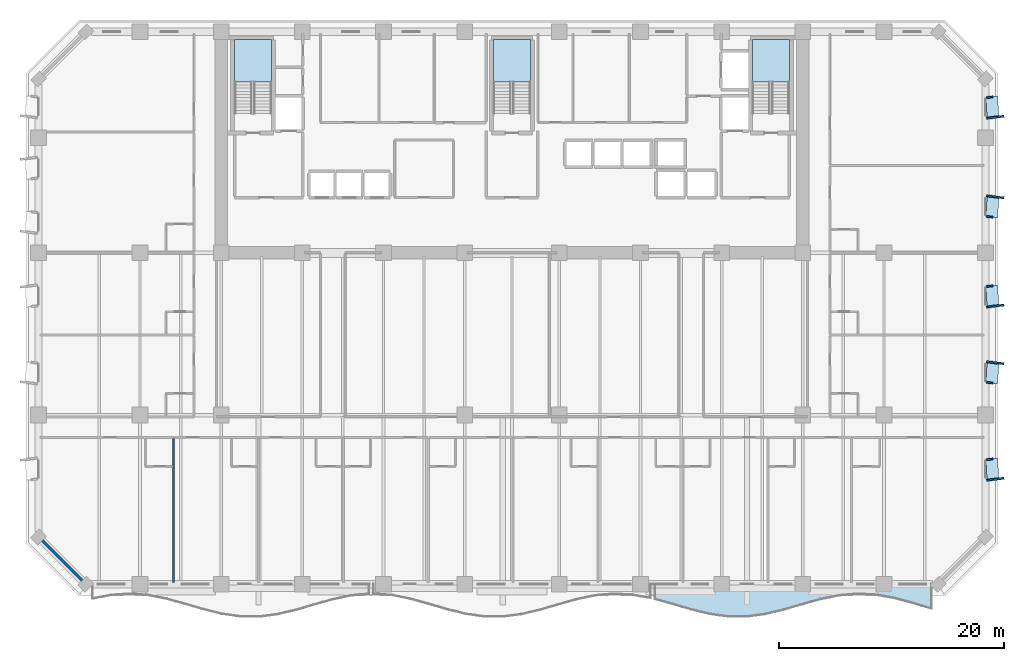
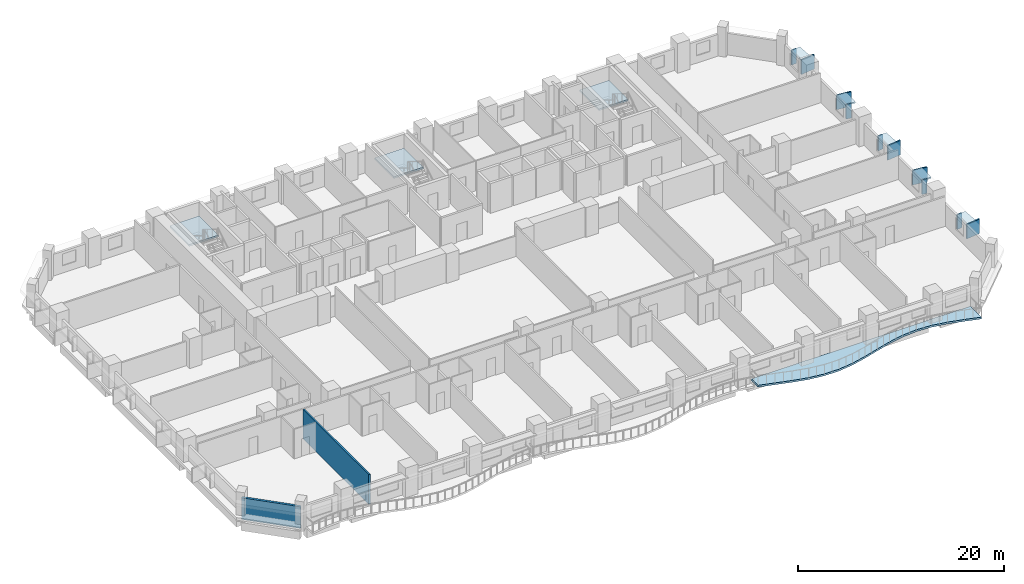
# One storey, part 3 of 15: 15 plates, 4 slabs, 2 walls, 3 elements without a shape of their own.
"""IFC4 building model written with IfcOpenShell, lengths in metres."""

import ifcopenshell
import ifcopenshell.guid

model = None  # the IFC model being written
_history = None  # IfcOwnerHistory: only IFC2X3 demands one
_inside = {}  # id of a spatial element -> (the spatial element, [elements in it])
_under = {}  # id of a project, library or spatial element -> (it, [spatial elements below it])
_declared = {}  # id of a project -> (the project, [libraries it declares])
_typed = {}  # id of a type object -> (the type object, [elements of that type])
_made_of = {}  # id of a material, layer set ... -> (it, [elements and type objects made of it])


def new_model(schema):
    """Start an empty IFC model of exactly this schema.

    Asked for "IFC4X3", IfcOpenShell would pick the latest addendum, in which some entities
    have other attributes; the version numbers below select the first issue.
    IFC2X3 requires an IfcOwnerHistory on every rooted entity: one is made here for all.
    """
    global model, _history
    if schema == "IFC4X3":
        model = ifcopenshell.file(schema_version=(4, 3, 0, 0))
    else:
        model = ifcopenshell.file(schema=schema)
    _inside.clear()
    _under.clear()
    _declared.clear()
    _typed.clear()
    _made_of.clear()
    _history = None
    if model.schema == "IFC2X3":
        org = make("IfcOrganization", Name="unknown")
        user = make(
            "IfcPersonAndOrganization",
            ThePerson=make("IfcPerson", FamilyName="unknown"),
            TheOrganization=org,
        )
        app = make(
            "IfcApplication",
            ApplicationDeveloper=org,
            Version="unknown",
            ApplicationFullName="unknown",
            ApplicationIdentifier="unknown",
        )
        _history = make(
            "IfcOwnerHistory",
            OwningUser=user,
            OwningApplication=app,
            ChangeAction="ADDED",
            CreationDate=0,
        )
    return model


def make(cls, **values):
    """One entity of the class cls with the attributes given. An attribute that is None is left unset."""
    return model.create_entity(
        cls, **{name: value for name, value in values.items() if value is not None}
    )


def rooted(cls, **values):
    """An entity with a GlobalId (a new one), such as an element, a storey or a relation."""
    return make(cls, GlobalId=ifcopenshell.guid.new(), OwnerHistory=_history, **values)


def si_unit(unit_type, name, prefix=None):
    """IfcSIUnit, for example si_unit("LENGTHUNIT", "METRE", prefix="MILLI")."""
    return make("IfcSIUnit", UnitType=unit_type, Prefix=prefix, Name=name)


def assignment(units):
    """IfcUnitAssignment: the units of a project."""
    return None if units is None else make("IfcUnitAssignment", Units=units)


def point(xyz):
    """IfcCartesianPoint."""
    return None if xyz is None else make("IfcCartesianPoint", Coordinates=xyz)


def direction(xyz):
    """IfcDirection."""
    return None if xyz is None else make("IfcDirection", DirectionRatios=xyz)


def frame(location, z_axis=None, x_axis=None):
    """IfcAxis2Placement3D, a coordinate frame: its origin and axes. An axis left out is left unset."""
    return make(
        "IfcAxis2Placement3D",
        Location=point(location),
        Axis=direction(z_axis),
        RefDirection=direction(x_axis),
    )


def frame_2d(location, x_axis=None):
    """IfcAxis2Placement2D, a coordinate frame in the plane: its origin and x axis."""
    return make(
        "IfcAxis2Placement2D", Location=point(location), RefDirection=direction(x_axis)
    )


def origin():
    """The frame at (0, 0, 0) with its axes left unset."""
    return frame((0.0, 0.0, 0.0))


def origin_2d():
    """The frame at (0, 0) in the plane with its x axis left unset."""
    return frame_2d((0.0, 0.0))


def place(relative_to, where):
    """IfcLocalPlacement: puts the frame where relative to a parent placement (None: the world)."""
    return make(
        "IfcLocalPlacement", PlacementRelTo=relative_to, RelativePlacement=where
    )


def context(
    kind, dimensions, precision=None, world=None, true_north=None, identifier=None
):
    """IfcGeometricRepresentationContext, for example the 3D "Model" context."""
    return make(
        "IfcGeometricRepresentationContext",
        ContextIdentifier=identifier,
        ContextType=kind,
        CoordinateSpaceDimension=dimensions,
        Precision=precision,
        WorldCoordinateSystem=world,
        TrueNorth=true_north,
    )


def subcontext(parent, identifier, kind, view, scale=None):
    """IfcGeometricRepresentationSubContext, for example "Body" below "Model"."""
    return make(
        "IfcGeometricRepresentationSubContext",
        ContextIdentifier=identifier,
        ContextType=kind,
        ParentContext=parent,
        TargetScale=scale,
        TargetView=view,
    )


def project(units=None, contexts=None):
    """IfcProject with its units and contexts."""
    return rooted(
        "IfcProject",
        Name="project",
        RepresentationContexts=contexts,
        UnitsInContext=assignment(units),
    )


def spatial(cls, under=None, at=None, **own):
    """A site, building, storey or space (cls), placed at a placement, below another one or the project."""
    s = rooted(cls, ObjectPlacement=at, **own)
    if under is not None:
        _under.setdefault(under.id(), (under, []))[1].append(s)
    return s


def polyline(points):
    """IfcPolyline through the points."""
    return make("IfcPolyline", Points=[point(p) for p in points])


def profile(cls, at=None, kind="AREA", **sizes):
    """A parametric profile (cls). Its sizes go by their IFC names, for example OverallWidth=200.0."""
    return make(cls, ProfileType=kind, Position=at, **sizes)


def rectangle(**sizes):
    """IfcRectangleProfileDef."""
    return profile("IfcRectangleProfileDef", **sizes)


def outline(outer, holes=None, kind="AREA"):
    """IfcArbitraryClosedProfileDef: a profile drawn as a closed curve; with holes, ...WithVoids."""
    if holes is None:
        return make("IfcArbitraryClosedProfileDef", ProfileType=kind, OuterCurve=outer)
    return make(
        "IfcArbitraryProfileDefWithVoids",
        ProfileType=kind,
        OuterCurve=outer,
        InnerCurves=holes,
    )


def extrude(swept, where, along, depth):
    """IfcExtrudedAreaSolid: the profile swept, set in the frame where, extruded along a direction by depth."""
    return make(
        "IfcExtrudedAreaSolid",
        SweptArea=swept,
        Position=where,
        ExtrudedDirection=direction(along),
        Depth=depth,
    )


def shape(context_of_items, identifier, shape_type, items):
    """IfcShapeRepresentation: the items that make up one representation, for example the "Body"."""
    return make(
        "IfcShapeRepresentation",
        ContextOfItems=context_of_items,
        RepresentationIdentifier=identifier,
        RepresentationType=shape_type,
        Items=items,
    )


def material(Name=None, Category=None):
    """IfcMaterial."""
    return make("IfcMaterial", Name=Name, Category=Category)


def layer(
    of_material, thickness, ventilated=None, Name=None, Category=None, Priority=None
):
    """IfcMaterialLayer: one layer of a wall or slab, of a material (None: an air gap)."""
    return make(
        "IfcMaterialLayer",
        Material=of_material,
        LayerThickness=thickness,
        IsVentilated=ventilated,
        Name=Name,
        Category=Category,
        Priority=Priority,
    )


def layer_set(layers, Name=None):
    """IfcMaterialLayerSet."""
    return make("IfcMaterialLayerSet", MaterialLayers=layers, LayerSetName=Name)


def made_of(thing, what):
    """Note that an element or type object is made of a material, layer set ...; save() writes the relation."""
    if what is not None:
        _made_of.setdefault(what.id(), (what, []))[1].append(thing)
    return thing


def type_object(cls, material=None, **own):
    """A type object (cls), such as IfcWallType, which elements share."""
    return made_of(rooted(cls, **own), material)


def element(
    cls,
    number,
    at=None,
    inside=None,
    cuts=None,
    type_object=None,
    material=None,
    context=None,
    identifier="Body",
    shape_type=None,
    held_by="IfcProductDefinitionShape",
    body=None,
    shapes=None,
    **own,
):
    """One element of the class cls, such as IfcWall. Its Tag is "e" and its number.

    at: its placement. inside: the storey or other place that contains it. cuts: it is an
    opening in that element (IfcRelVoidsElement). A single representation is given by context,
    identifier, shape_type and body (its items); several are given by shapes. held_by: the class
    of the entity that holds the representations. save() writes the other relations.
    """
    e = rooted(cls, Tag="e%d" % number, ObjectPlacement=at, **own)
    if body is not None:
        shapes = [shape(context, identifier, shape_type, body)]
    if shapes is not None:
        e.Representation = make(held_by, Representations=shapes)
    if inside is not None:
        _inside.setdefault(inside.id(), (inside, []))[1].append(e)
    if cuts is not None:
        rooted(
            "IfcRelVoidsElement", RelatingBuildingElement=cuts, RelatedOpeningElement=e
        )
    if type_object is not None:
        _typed.setdefault(type_object.id(), (type_object, []))[1].append(e)
    return made_of(e, material)


def aggregate(whole, parts):
    """IfcRelAggregates: a whole, such as a stair, and the parts it consists of."""
    return rooted("IfcRelAggregates", RelatingObject=whole, RelatedObjects=parts)


def save(model, path):
    """Write the relations noted so far, then the file.

    IfcRelAggregates (storeys below a building ...), IfcRelContainedInSpatialStructure (elements
    in a storey), IfcRelDefinesByType, IfcRelAssociatesMaterial and IfcRelDeclares: one each for
    every whole, place, type object, material and project.
    """
    for whole, parts in _under.values():
        aggregate(whole, parts)
    for where, things in _inside.values():
        rooted(
            "IfcRelContainedInSpatialStructure",
            RelatedElements=things,
            RelatingStructure=where,
        )
    for kind, things in _typed.values():
        rooted("IfcRelDefinesByType", RelatedObjects=things, RelatingType=kind)
    for what, things in _made_of.values():
        rooted("IfcRelAssociatesMaterial", RelatedObjects=things, RelatingMaterial=what)
    for by, libraries in _declared.values():
        rooted("IfcRelDeclares", RelatingContext=by, RelatedDefinitions=libraries)
    model.write(path)


model = new_model("IFC4")

# Units and contexts
model_context = context("Model", 3, precision=1e-05, world=origin(), true_north=direction((0.0, 1.0)))
body_context = subcontext(model_context, "Body", "Model", "MODEL_VIEW")
ifc_project = project(units=[si_unit("LENGTHUNIT", "METRE"), si_unit("AREAUNIT", "SQUARE_METRE"), si_unit("VOLUMEUNIT", "CUBIC_METRE"), si_unit("PLANEANGLEUNIT", "RADIAN"), si_unit("MASSUNIT", "GRAM", prefix="KILO")], contexts=[model_context])

# Site, building, storey
site_placement = place(None, origin())
site = spatial("IfcSite", under=ifc_project, at=site_placement, CompositionType="ELEMENT")
building_placement = place(site_placement, origin())
building = spatial("IfcBuilding", under=site, at=building_placement, Name="Kaelvorn Grand Hotel", CompositionType="ELEMENT")
storey_placement = place(building_placement, frame((0.0, 0.0, 68.89990234375)))
storey = spatial("IfcBuildingStorey", under=building, at=storey_placement, Name="L15", CompositionType="ELEMENT", Elevation=68.89990234375)

# Plates
ifc_material_1 = material(Name="Precast concrete C45/55", Category="concrete")
ifc_layer_1 = layer(ifc_material_1, 0.159912109375)
ifc_layer_set_1 = layer_set([ifc_layer_1], Name="Precast concrete C45/55")
plate_type_1 = type_object("IfcPlateType", Name="PL-FRAME-DEEP-1550", PredefinedType="USERDEFINED", material=ifc_layer_set_1)
for number, where, z_axis, x_axis, name in (
    (1, (84.864990234375, 9.31005859375, 0.68994140625), (0.0, 0.0, 1.0), (-0.121869343405, 0.992546151641, 0.0), "L15 Tilted Precast Window Frame Fin L-E01"),
    (2, (84.864990234375, 19.64990234375, 0.68994140625), (0.0, 0.0, 1.0), (0.121869343405, 0.992546151641, 0.0), "L15 Tilted Precast Window Frame Fin R-E02"),
    (3, (84.864990234375, 24.669921875, 0.68994140625), (0.0, 0.0, 1.0), (-0.121869343405, 0.992546151641, 0.0), "L15 Tilted Precast Window Frame Fin L-E03"),
    (4, (84.864990234375, 34.364990234375, 0.68994140625), (0.0, 0.0, 1.0), (0.121869343405, 0.992546151641, 0.0), "L15 Tilted Precast Window Frame Fin R-E04"),
    (5, (84.864990234375, 41.425048828125, 0.68994140625), (0.0, 0.0, 1.0), (-0.121869343405, 0.992546151641, 0.0), "L15 Tilted Precast Window Frame Fin L-E05"),
):
    element("IfcPlate", number, at=place(storey_placement, frame(where, z_axis=z_axis, x_axis=x_axis)), inside=storey, type_object=plate_type_1, Name=name, ObjectType="FLANGE_PLATE", PredefinedType="USERDEFINED", context=body_context, shape_type="SweptSolid", body=[
        extrude(rectangle(XDim=0.159912109375, YDim=1.550048828125, at=origin_2d()), origin(), (0.0, 0.0, 1.0), 1.719970703125),
    ])
ifc_layer_2 = layer(ifc_material_1, 0.159912109375)
ifc_layer_set_2 = layer_set([ifc_layer_2], Name="Precast concrete C45/55")
plate_type_2 = type_object("IfcPlateType", Name="PL-FRAME-HEAD-1050", PredefinedType="USERDEFINED", material=ifc_layer_set_2)
for number, where, z_axis, x_axis, name in (
    (6, (84.614990234375, 10.199951171875, 2.25), (0.0, 0.0, 1.0), (-0.054950179912, 0.998489097451, 0.0), "L15 Precast Window Frame Head Hood H-E01"),
    (7, (84.614990234375, 18.760009765625, 2.25), (0.0, 0.0, 1.0), (0.054950179912, 0.998489097451, 0.0), "L15 Precast Window Frame Head Hood H-E02"),
    (8, (84.614990234375, 25.56005859375, 2.25), (0.0, 0.0, 1.0), (-0.054950179912, 0.998489097451, 0.0), "L15 Precast Window Frame Head Hood H-E03"),
    (9, (84.614990234375, 33.47509765625, 2.25), (0.0, 0.0, 1.0), (0.054950179912, 0.998489097451, 0.0), "L15 Precast Window Frame Head Hood H-E04"),
    (10, (84.614990234375, 42.31494140625, 2.25), (0.0, 0.0, 1.0), (-0.054950179912, 0.998489097451, 0.0), "L15 Precast Window Frame Head Hood H-E05"),
):
    element("IfcPlate", number, at=place(storey_placement, frame(where, z_axis=z_axis, x_axis=x_axis)), inside=storey, type_object=plate_type_2, Name=name, ObjectType="FLANGE_PLATE", PredefinedType="USERDEFINED", context=body_context, shape_type="SweptSolid", body=[
        extrude(rectangle(XDim=1.860107421875, YDim=1.050048828125, at=origin_2d()), origin(), (0.0, 0.0, 1.0), 0.159912109375),
    ])
ifc_layer_3 = layer(ifc_material_1, 0.159912109375)
ifc_layer_set_3 = layer_set([ifc_layer_3], Name="Precast concrete C45/55")
plate_type_3 = type_object("IfcPlateType", Name="PL-FRAME-SHAL-550", PredefinedType="USERDEFINED", material=ifc_layer_set_3)
for number, where, z_axis, x_axis, name in (
    (11, (84.364990234375, 11.090087890625, 0.68994140625), (0.0, 0.0, 1.0), (-0.121869343405, 0.992546151641, 0.0), "L15 Tilted Precast Window Frame Fin R-E01"),
    (12, (84.364990234375, 17.8701171875, 0.68994140625), (0.0, 0.0, 1.0), (0.121869343405, 0.992546151641, 0.0), "L15 Tilted Precast Window Frame Fin L-E02"),
    (13, (84.364990234375, 26.449951171875, 0.68994140625), (0.0, 0.0, 1.0), (-0.121869343405, 0.992546151641, 0.0), "L15 Tilted Precast Window Frame Fin R-E03"),
    (14, (84.364990234375, 32.5849609375, 0.68994140625), (0.0, 0.0, 1.0), (0.121869343405, 0.992546151641, 0.0), "L15 Tilted Precast Window Frame Fin L-E04"),
    (15, (84.364990234375, 43.205078125, 0.68994140625), (0.0, 0.0, 1.0), (-0.121869343405, 0.992546151641, 0.0), "L15 Tilted Precast Window Frame Fin R-E05"),
):
    element("IfcPlate", number, at=place(storey_placement, frame(where, z_axis=z_axis, x_axis=x_axis)), inside=storey, type_object=plate_type_3, Name=name, ObjectType="FLANGE_PLATE", PredefinedType="USERDEFINED", context=body_context, shape_type="SweptSolid", body=[
        extrude(rectangle(XDim=0.159912109375, YDim=0.550048828125, at=origin_2d()), origin(), (0.0, 0.0, 1.0), 1.719970703125),
    ])

# Slab
ifc_material_2 = material(Name="Concrete C40/50", Category="concrete")
ifc_layer_4 = layer(ifc_material_2, 0.219970703125)
ifc_layer_set_4 = layer_set([ifc_layer_4], Name="Concrete C40/50")
slab_type_1 = type_object("IfcSlabType", Name="SLB-BALC-220-C40", PredefinedType="FLOOR", material=ifc_layer_set_4)
slab_1_placement = place(storey_placement, frame((0.0, 0.0, -0.219970703125)))
element("IfcSlab", 16, at=slab_1_placement, inside=storey, type_object=slab_type_1, Name="L15 Scalloped Wave Balcony Slab 3", PredefinedType="FLOOR", context=body_context, shape_type="SweptSolid", body=[
    extrude(outline(polyline([(54.666748046875, -1.318359375), (56.30224609375, -1.7744140625), (57.937744140625, -2.2529296875), (59.5732421875, -2.647216796875), (61.208984375, -2.8701171875), (62.844482421875, -2.8720703125), (64.47998046875, -2.652587890625), (66.115478515625, -2.26025390625), (67.751220703125, -1.782470703125), (69.38671875, -1.3251953125), (71.022216796875, -0.989990234375), (72.65771484375, -0.851318359375), (74.293212890625, -0.940185546875), (75.928955078125, -1.236572265625), (77.564453125, -1.6748046875), (79.199951171875, -2.157470703125), (79.199951171875, 0.0), (54.666748046875, 0.0), (54.666748046875, -1.318359375)])), origin(), (0.0, 0.0, 1.0), 0.219970703125),
])

# Stair, slab
stair_type = type_object("IfcStairType", Name="STR-DOG-1560-R06", PredefinedType="HALF_TURN_STAIR", material=ifc_material_2)
stair_1_placement = place(storey_placement, origin())
stair_1 = element("IfcStair", 17, at=stair_1_placement, inside=storey, type_object=stair_type, Name="L15 West Core Exit Stair ST1", PredefinedType="HALF_TURN_STAIR")
ifc_layer_5 = layer(ifc_material_2, 0.199951171875)
ifc_layer_set_5 = layer_set([ifc_layer_5], Name="Concrete C40/50")
slab_type_2 = type_object("IfcSlabType", Name="SLB-LAND-200-C40", PredefinedType="LANDING", material=ifc_layer_set_5)
slab_2_placement = place(storey_placement, frame((0.0, 0.0, 1.675048828125)))
slab_2 = element("IfcSlab", 18, at=slab_2_placement, type_object=slab_type_2, Name="ST1 landing 1", PredefinedType="LANDING", context=body_context, shape_type="SweptSolid", body=[
    extrude(outline(polyline([(20.679931640625, 44.56005859375), (20.679931640625, 48.300048828125), (17.39990234375, 48.300048828125), (17.39990234375, 44.56005859375), (20.679931640625, 44.56005859375)])), origin(), (0.0, 0.0, 1.0), 0.199951171875),
])
aggregate(stair_1, [slab_2])

stair_2_placement = place(storey_placement, origin())
stair_2 = element("IfcStair", 19, at=stair_2_placement, inside=storey, type_object=stair_type, Name="L15 Central Core Exit Stair ST2", PredefinedType="HALF_TURN_STAIR")
slab_3_placement = place(storey_placement, frame((0.0, 0.0, 1.675048828125)))
slab_3 = element("IfcSlab", 20, at=slab_3_placement, type_object=slab_type_2, Name="ST2 landing 1", PredefinedType="LANDING", context=body_context, shape_type="SweptSolid", body=[
    extrude(outline(polyline([(43.639892578125, 44.56005859375), (43.639892578125, 48.300048828125), (40.360107421875, 48.300048828125), (40.360107421875, 44.56005859375), (43.639892578125, 44.56005859375)])), origin(), (0.0, 0.0, 1.0), 0.199951171875),
])
aggregate(stair_2, [slab_3])

stair_3_placement = place(storey_placement, origin())
stair_3 = element("IfcStair", 21, at=stair_3_placement, inside=storey, type_object=stair_type, Name="L15 East Core Exit Stair ST3", PredefinedType="HALF_TURN_STAIR")
slab_4_placement = place(storey_placement, frame((0.0, 0.0, 1.675048828125)))
slab_4 = element("IfcSlab", 22, at=slab_4_placement, type_object=slab_type_2, Name="ST3 landing 1", PredefinedType="LANDING", context=body_context, shape_type="SweptSolid", body=[
    extrude(outline(polyline([(66.60009765625, 44.56005859375), (66.60009765625, 48.300048828125), (63.320068359375, 48.300048828125), (63.320068359375, 44.56005859375), (66.60009765625, 44.56005859375)])), origin(), (0.0, 0.0, 1.0), 0.199951171875),
])
aggregate(stair_3, [slab_4])

# Walls
ifc_layer_6 = layer(ifc_material_2, 0.260009765625)
ifc_layer_set_6 = layer_set([ifc_layer_6], Name="Concrete C40/50")
wall_type_1 = type_object("IfcWallType", Name="WL-EXT-260-C40", PredefinedType="SOLIDWALL", material=ifc_layer_set_6)
wall_1_placement = place(storey_placement, frame((0.0, 4.199951171875, 0.0), z_axis=(0.0, 0.0, 1.0), x_axis=(0.707106781187, -0.707106781187, 0.0)))
element("IfcWall", 23, at=wall_1_placement, inside=storey, type_object=wall_type_1, Name="L15 Exterior Architectural Concrete Wall 08", PredefinedType="SOLIDWALL", context=body_context, shape_type="SweptSolid", body=[
    extrude(rectangle(XDim=5.939697265625, YDim=0.260009765625, at=frame_2d((2.9697265625, 0.0))), origin(), (0.0, 0.0, 1.0), 2.56005859375),
])
ifc_material_3 = material(Name="Acoustic Gypsum & Stud Partition")
ifc_layer_7 = layer(ifc_material_3, 0.179931640625)
ifc_layer_set_7 = layer_set([ifc_layer_7], Name="Acoustic Gypsum & Stud Partition")
wall_type_2 = type_object("IfcWallType", Name="WL-PART-180-EI60", PredefinedType="PARTITIONING", material=ifc_layer_set_7)
wall_2_placement = place(storey_placement, frame((11.97998046875, 0.14990234375, 0.0), z_axis=(0.0, 0.0, 1.0), x_axis=(0.0, 1.0, 0.0)))
element("IfcWall", 24, at=wall_2_placement, inside=storey, type_object=wall_type_2, Name="L15 Deluxe Panoramic Suite L15-01 E Partition", PredefinedType="PARTITIONING", context=body_context, shape_type="SweptSolid", body=[
    extrude(rectangle(XDim=12.755126953125, YDim=0.179931640625, at=frame_2d((6.37744140625, 0.0))), origin(), (0.0, 0.0, 1.0), 3.510009765625),
])

save(model, "model.ifc")
